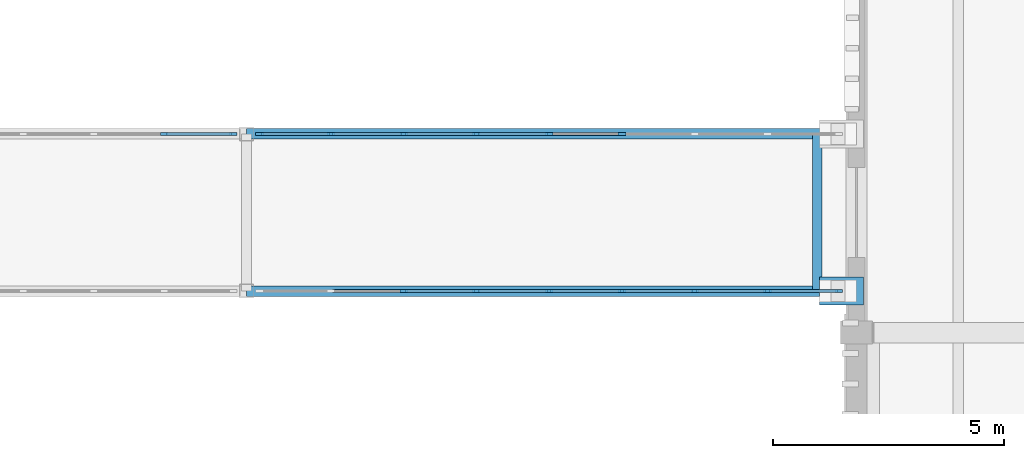
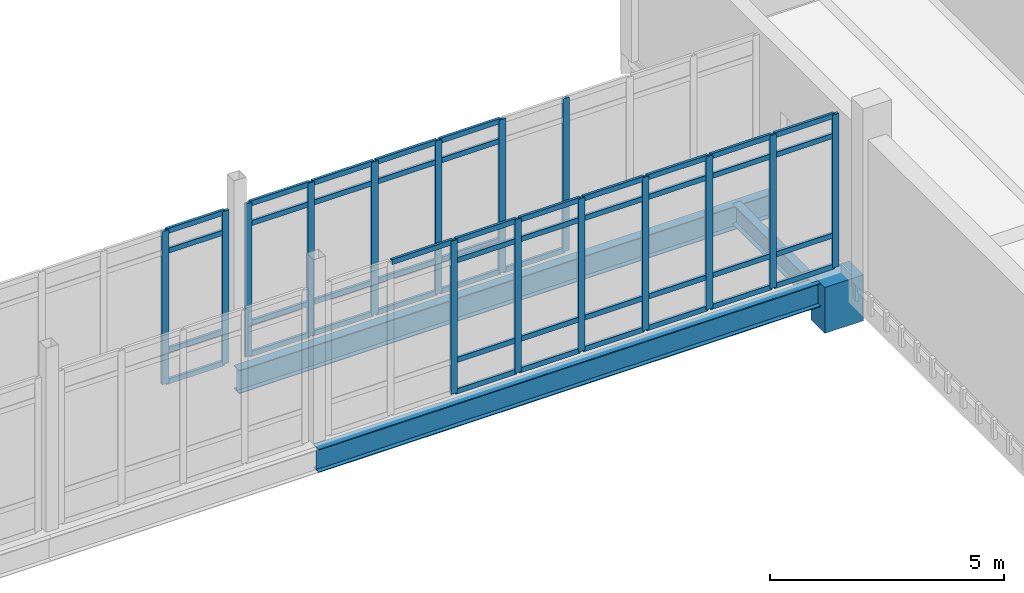
# One storey, part 44 of 125: 61 members, 4 beams, 3 elements without a shape of their own.
"""IFC4 building model written with IfcOpenShell, lengths in metres."""

from ifc_helpers import new_model, si_unit, direction, frame, origin, origin_2d, place, context, subcontext, project, spatial, rectangle, i_section, extrude, material, material_profile, profile_set, type_object, element, aggregate, save


model = new_model("IFC4")

# Units and contexts
model_context = context("Model", 3, precision=1e-05, world=origin(), true_north=direction((0.0, 1.0)))
body_context = subcontext(model_context, "Body", "Model", "MODEL_VIEW")
ifc_project = project(units=[si_unit("LENGTHUNIT", "METRE"), si_unit("AREAUNIT", "SQUARE_METRE"), si_unit("VOLUMEUNIT", "CUBIC_METRE"), si_unit("PLANEANGLEUNIT", "RADIAN"), si_unit("MASSUNIT", "GRAM", prefix="KILO")], contexts=[model_context])

# Site, building, storey
site_placement = place(None, origin())
site = spatial("IfcSite", under=ifc_project, at=site_placement, CompositionType="ELEMENT")
building_placement = place(site_placement, origin())
building = spatial("IfcBuilding", under=site, at=building_placement, Name="Dornvale Research Institute", CompositionType="ELEMENT")
storey_placement = place(building_placement, frame((0.0, 0.0, 5.39990234375)))
storey = spatial("IfcBuildingStorey", under=building, at=storey_placement, Name="L01", CompositionType="ELEMENT", Elevation=5.39990234375)

# Beams
ifc_material_1 = material(Name="Steel ASTM A992 Grade 50", Category="steel")
ifc_material_profile_1 = material_profile(ifc_material_1, i_section(OverallWidth=0.2099609375, OverallDepth=0.535888671875, WebThickness=0.010986328125, FlangeThickness=0.017333984375, at=origin_2d()), Name="W21X68")
ifc_profile_set_1 = profile_set([ifc_material_profile_1], Name="Steel ASTM A992 Grade 50")
beam_type_1 = type_object("IfcBeamType", Name="Beam_Steel_W21X68", PredefinedType="BEAM", material=ifc_profile_set_1)
beam_1_placement = place(storey_placement, frame((117.949951171875, 113.10009765625, -0.48779296875), z_axis=(0.0, 1.0, 0.0), x_axis=(-1.0, 0.0, 0.0)))
element("IfcBeam", 1, at=beam_1_placement, inside=storey, type_object=beam_type_1, Name="L01 BR-5 east cross beam #2026", PredefinedType="BEAM", context=body_context, shape_type="SweptSolid", body=[
    extrude(i_section(OverallWidth=0.2099609375, OverallDepth=0.535888671875, WebThickness=0.010986328125, FlangeThickness=0.017333984375, at=origin_2d()), origin(), (0.0, 0.0, 1.0), 3.39990234375),
])
ifc_material_2 = material(Name="Steel ASTM A992 Grade 50", Category="steel")
ifc_material_profile_2 = material_profile(ifc_material_2, i_section(OverallWidth=0.22900390625, OverallDepth=0.612060546875, WebThickness=0.011962890625, FlangeThickness=0.01953125, at=origin_2d()), Name="W24X84")
ifc_profile_set_2 = profile_set([ifc_material_profile_2], Name="Steel ASTM A992 Grade 50")
beam_type_2 = type_object("IfcBeamType", Name="Beam_Steel_W24X84_Bridge", PredefinedType="BEAM", material=ifc_profile_set_2)
for number, where, z_axis, x_axis, name in (
    (2, (105.60009765625, 113.10009765625, -0.52587890625), (1.0, 0.0, 0.0), (0.0, 1.0, 0.0), "L01 BR-5 south girder #2026"),
    (3, (105.60009765625, 116.5, -0.52587890625), (1.0, 0.0, 0.0), (0.0, 1.0, 0.0), "L01 BR-5 north girder #2026"),
):
    element("IfcBeam", number, at=place(storey_placement, frame(where, z_axis=z_axis, x_axis=x_axis)), inside=storey, type_object=beam_type_2, Name=name, PredefinedType="BEAM", context=body_context, shape_type="SweptSolid", body=[
        extrude(i_section(OverallWidth=0.22900390625, OverallDepth=0.612060546875, WebThickness=0.011962890625, FlangeThickness=0.01953125, at=origin_2d()), origin(), (0.0, 0.0, 1.0), 13.199951171875),
    ])

# Curtain wall, members
ifc_material_3 = material(Name="Low-E Argon Double Insulating Glazing Unit", Category="glass")
curtain_wall_type_1 = type_object("IfcCurtainWallType", Name="UnitisedCurtainWall_V2_6100x4000", PredefinedType="USERDEFINED", material=ifc_material_3)
curtain_wall_1_placement = place(storey_placement, origin())
curtain_wall_1 = element("IfcCurtainWall", 4, at=curtain_wall_1_placement, inside=storey, type_object=curtain_wall_type_1, Name="L01 V2 unitised curtain wall CW-43 #219", ObjectType="UNITISED CURTAIN WALL", PredefinedType="USERDEFINED")
ifc_material_4 = material(Name="Anodized Aluminum AA 6063-T6 Thermally Broken Frame", Category="aluminium")
ifc_material_profile_3 = material_profile(ifc_material_4, rectangle(XDim=0.06494140625, YDim=0.1650390625, at=origin_2d()), Name="ALU MULLION 65x165")
ifc_profile_set_3 = profile_set([ifc_material_profile_3], Name="Anodized Aluminum AA 6063-T6 Thermally Broken Frame")
member_type_1 = type_object("IfcMemberType", Name="Mullion_Atrium_65x165", PredefinedType="MULLION", material=ifc_profile_set_3)
member_1_placement = place(storey_placement, frame((103.824951171875, 116.5, 0.0), z_axis=(0.0, 0.0, 1.0), x_axis=(0.0, 1.0, 0.0)))
member_1 = element("IfcMember", 5, at=member_1_placement, type_object=member_type_1, Name="CW-43 mullion 4", PredefinedType="MULLION", context=body_context, shape_type="SweptSolid", body=[
    extrude(rectangle(XDim=0.06494140625, YDim=0.1650390625, at=origin_2d()), origin(), (0.0, 0.0, 1.0), 4.0),
])
member_2_placement = place(storey_placement, frame((105.3173828125, 116.5, 0.0), z_axis=(0.0, 0.0, 1.0), x_axis=(0.0, 1.0, 0.0)))
member_2 = element("IfcMember", 6, at=member_2_placement, type_object=member_type_1, Name="CW-43 mullion 5", PredefinedType="MULLION", context=body_context, shape_type="SweptSolid", body=[
    extrude(rectangle(XDim=0.06494140625, YDim=0.1650390625, at=origin_2d()), origin(), (0.0, 0.0, 1.0), 4.0),
])

ifc_material_5 = material(Name="Low-E Argon Double Insulating Glazing Unit", Category="glass")
curtain_wall_type_2 = type_object("IfcCurtainWallType", Name="UnitisedCurtainWall_V2_12600x4000", PredefinedType="USERDEFINED", material=ifc_material_5)
curtain_wall_2_placement = place(storey_placement, origin())
curtain_wall_2 = element("IfcCurtainWall", 7, at=curtain_wall_2_placement, inside=storey, type_object=curtain_wall_type_2, Name="L01 V2 unitised curtain wall CW-41 #221", ObjectType="UNITISED CURTAIN WALL", PredefinedType="USERDEFINED")
member_3_placement = place(storey_placement, frame((105.882568359375, 116.5, 0.0), z_axis=(0.0, 0.0, 1.0), x_axis=(0.0, 1.0, 0.0)))
member_3 = element("IfcMember", 8, at=member_3_placement, type_object=member_type_1, Name="CW-41 mullion 1", PredefinedType="MULLION", context=body_context, shape_type="SweptSolid", body=[
    extrude(rectangle(XDim=0.06494140625, YDim=0.1650390625, at=origin_2d()), origin(), (0.0, 0.0, 1.0), 4.0),
])
member_4_placement = place(storey_placement, frame((107.425048828125, 116.5, 0.0), z_axis=(0.0, 0.0, 1.0), x_axis=(0.0, 1.0, 0.0)))
member_4 = element("IfcMember", 9, at=member_4_placement, type_object=member_type_1, Name="CW-41 mullion 2", PredefinedType="MULLION", context=body_context, shape_type="SweptSolid", body=[
    extrude(rectangle(XDim=0.06494140625, YDim=0.1650390625, at=origin_2d()), origin(), (0.0, 0.0, 1.0), 4.0),
])
member_5_placement = place(storey_placement, frame((109.0, 116.5, 0.0), z_axis=(0.0, 0.0, 1.0), x_axis=(0.0, 1.0, 0.0)))
member_5 = element("IfcMember", 10, at=member_5_placement, type_object=member_type_1, Name="CW-41 mullion 3", PredefinedType="MULLION", context=body_context, shape_type="SweptSolid", body=[
    extrude(rectangle(XDim=0.06494140625, YDim=0.1650390625, at=origin_2d()), origin(), (0.0, 0.0, 1.0), 4.0),
])
member_6_placement = place(storey_placement, frame((110.574951171875, 116.5, 0.0), z_axis=(0.0, 0.0, 1.0), x_axis=(0.0, 1.0, 0.0)))
member_6 = element("IfcMember", 11, at=member_6_placement, type_object=member_type_1, Name="CW-41 mullion 4", PredefinedType="MULLION", context=body_context, shape_type="SweptSolid", body=[
    extrude(rectangle(XDim=0.06494140625, YDim=0.1650390625, at=origin_2d()), origin(), (0.0, 0.0, 1.0), 4.0),
])
member_7_placement = place(storey_placement, frame((112.14990234375, 116.5, 0.0), z_axis=(0.0, 0.0, 1.0), x_axis=(0.0, 1.0, 0.0)))
member_7 = element("IfcMember", 12, at=member_7_placement, type_object=member_type_1, Name="CW-41 mullion 5", PredefinedType="MULLION", context=body_context, shape_type="SweptSolid", body=[
    extrude(rectangle(XDim=0.06494140625, YDim=0.1650390625, at=origin_2d()), origin(), (0.0, 0.0, 1.0), 4.0),
])
member_8_placement = place(storey_placement, frame((113.72509765625, 116.5, 0.0), z_axis=(0.0, 0.0, 1.0), x_axis=(0.0, 1.0, 0.0)))
member_8 = element("IfcMember", 13, at=member_8_placement, type_object=member_type_1, Name="CW-41 mullion 6", PredefinedType="MULLION", context=body_context, shape_type="SweptSolid", body=[
    extrude(rectangle(XDim=0.06494140625, YDim=0.1650390625, at=origin_2d()), origin(), (0.0, 0.0, 1.0), 4.0),
])

curtain_wall_3_placement = place(storey_placement, origin())
curtain_wall_3 = element("IfcCurtainWall", 14, at=curtain_wall_3_placement, inside=storey, type_object=curtain_wall_type_2, Name="L01 V2 unitised curtain wall CW-41 #222", ObjectType="UNITISED CURTAIN WALL", PredefinedType="USERDEFINED")
member_9_placement = place(storey_placement, frame((118.41748046875, 113.10009765625, 0.0), z_axis=(0.0, 0.0, 1.0), x_axis=(0.0, -1.0, 0.0)))
member_9 = element("IfcMember", 15, at=member_9_placement, type_object=member_type_1, Name="CW-41 mullion 1", PredefinedType="MULLION", context=body_context, shape_type="SweptSolid", body=[
    extrude(rectangle(XDim=0.06494140625, YDim=0.1650390625, at=origin_2d()), origin(), (0.0, 0.0, 1.0), 4.0),
])
member_10_placement = place(storey_placement, frame((116.875, 113.10009765625, 0.0), z_axis=(0.0, 0.0, 1.0), x_axis=(0.0, -1.0, 0.0)))
member_10 = element("IfcMember", 16, at=member_10_placement, type_object=member_type_1, Name="CW-41 mullion 2", PredefinedType="MULLION", context=body_context, shape_type="SweptSolid", body=[
    extrude(rectangle(XDim=0.06494140625, YDim=0.1650390625, at=origin_2d()), origin(), (0.0, 0.0, 1.0), 4.0),
])
member_11_placement = place(storey_placement, frame((115.300048828125, 113.10009765625, 0.0), z_axis=(0.0, 0.0, 1.0), x_axis=(0.0, -1.0, 0.0)))
member_11 = element("IfcMember", 17, at=member_11_placement, type_object=member_type_1, Name="CW-41 mullion 3", PredefinedType="MULLION", context=body_context, shape_type="SweptSolid", body=[
    extrude(rectangle(XDim=0.06494140625, YDim=0.1650390625, at=origin_2d()), origin(), (0.0, 0.0, 1.0), 4.0),
])
member_12_placement = place(storey_placement, frame((113.72509765625, 113.10009765625, 0.0), z_axis=(0.0, 0.0, 1.0), x_axis=(0.0, -1.0, 0.0)))
member_12 = element("IfcMember", 18, at=member_12_placement, type_object=member_type_1, Name="CW-41 mullion 4", PredefinedType="MULLION", context=body_context, shape_type="SweptSolid", body=[
    extrude(rectangle(XDim=0.06494140625, YDim=0.1650390625, at=origin_2d()), origin(), (0.0, 0.0, 1.0), 4.0),
])
member_13_placement = place(storey_placement, frame((112.14990234375, 113.10009765625, 0.0), z_axis=(0.0, 0.0, 1.0), x_axis=(0.0, -1.0, 0.0)))
member_13 = element("IfcMember", 19, at=member_13_placement, type_object=member_type_1, Name="CW-41 mullion 5", PredefinedType="MULLION", context=body_context, shape_type="SweptSolid", body=[
    extrude(rectangle(XDim=0.06494140625, YDim=0.1650390625, at=origin_2d()), origin(), (0.0, 0.0, 1.0), 4.0),
])
member_14_placement = place(storey_placement, frame((110.574951171875, 113.10009765625, 0.0), z_axis=(0.0, 0.0, 1.0), x_axis=(0.0, -1.0, 0.0)))
member_14 = element("IfcMember", 20, at=member_14_placement, type_object=member_type_1, Name="CW-41 mullion 6", PredefinedType="MULLION", context=body_context, shape_type="SweptSolid", body=[
    extrude(rectangle(XDim=0.06494140625, YDim=0.1650390625, at=origin_2d()), origin(), (0.0, 0.0, 1.0), 4.0),
])
member_15_placement = place(storey_placement, frame((109.0, 113.10009765625, 0.0), z_axis=(0.0, 0.0, 1.0), x_axis=(0.0, -1.0, 0.0)))
member_15 = element("IfcMember", 21, at=member_15_placement, type_object=member_type_1, Name="CW-41 mullion 7", PredefinedType="MULLION", context=body_context, shape_type="SweptSolid", body=[
    extrude(rectangle(XDim=0.06494140625, YDim=0.1650390625, at=origin_2d()), origin(), (0.0, 0.0, 1.0), 4.0),
])

# Beam
ifc_material_6 = material(Name="Concrete f'c 50 MPa (C40/50)", Category="concrete")
ifc_material_profile_4 = material_profile(ifc_material_6, rectangle(XDim=0.60009765625, YDim=1.199951171875, at=origin_2d()), Name="RC 600x1200")
ifc_profile_set_4 = profile_set([ifc_material_profile_4], Name="Concrete f'c 50 MPa (C40/50)")
beam_type_3 = type_object("IfcBeamType", Name="TBeam_RC600x1200_Tie", PredefinedType="T_BEAM", material=ifc_profile_set_4)
beam_2_placement = place(storey_placement, frame((118.0, 113.10009765625, -0.81982421875), z_axis=(1.0, 0.0, 0.0), x_axis=(0.0, 1.0, 0.0)))
element("IfcBeam", 22, at=beam_2_placement, inside=storey, type_object=beam_type_3, Name="L01 BR-5 800mm sliding corbel seat #2026", PredefinedType="T_BEAM", context=body_context, shape_type="SweptSolid", body=[
    extrude(rectangle(XDim=0.60009765625, YDim=1.199951171875, at=origin_2d()), origin(), (0.0, 0.0, 1.0), 0.949951171875),
])

# Member
ifc_material_7 = material(Name="Anodized Aluminum AA 6063-T6 Thermally Broken Frame", Category="aluminium")
ifc_material_profile_5 = material_profile(ifc_material_7, rectangle(XDim=0.06494140625, YDim=0.135009765625, at=origin_2d()), Name="ALU TRANSOM 65x135")
ifc_profile_set_5 = profile_set([ifc_material_profile_5], Name="Anodized Aluminum AA 6063-T6 Thermally Broken Frame")
member_type_2 = type_object("IfcMemberType", Name="Transom_CW_65x135", PredefinedType="USERDEFINED", material=ifc_profile_set_5)
member_16_placement = place(storey_placement, frame((103.857421875, 116.5, 0.03271484375), z_axis=(1.0, 0.0, 0.0), x_axis=(0.0, 1.0, 0.0)))
member_16 = element("IfcMember", 23, at=member_16_placement, type_object=member_type_2, Name="CW-43 transom 4.1", ObjectType="TRANSOM", PredefinedType="USERDEFINED", context=body_context, shape_type="SweptSolid", body=[
    extrude(rectangle(XDim=0.06494140625, YDim=0.135009765625, at=origin_2d()), origin(), (0.0, 0.0, 1.0), 1.427490234375),
])

member_17_placement = place(storey_placement, frame((103.857421875, 116.5, 0.85009765625), z_axis=(1.0, 0.0, 0.0), x_axis=(0.0, 1.0, 0.0)))
member_17 = element("IfcMember", 24, at=member_17_placement, type_object=member_type_2, Name="CW-43 transom 4.2", ObjectType="TRANSOM", PredefinedType="USERDEFINED", context=body_context, shape_type="SweptSolid", body=[
    extrude(rectangle(XDim=0.06494140625, YDim=0.135009765625, at=origin_2d()), origin(), (0.0, 0.0, 1.0), 1.427490234375),
])

member_18_placement = place(storey_placement, frame((103.857421875, 116.5, 3.4501953125), z_axis=(1.0, 0.0, 0.0), x_axis=(0.0, 1.0, 0.0)))
member_18 = element("IfcMember", 25, at=member_18_placement, type_object=member_type_2, Name="CW-43 transom 4.3", ObjectType="TRANSOM", PredefinedType="USERDEFINED", context=body_context, shape_type="SweptSolid", body=[
    extrude(rectangle(XDim=0.06494140625, YDim=0.135009765625, at=origin_2d()), origin(), (0.0, 0.0, 1.0), 1.427490234375),
])

member_19_placement = place(storey_placement, frame((103.857421875, 116.5, 3.967529296875), z_axis=(1.0, 0.0, 0.0), x_axis=(0.0, 1.0, 0.0)))
member_19 = element("IfcMember", 26, at=member_19_placement, type_object=member_type_2, Name="CW-43 transom 4.4", ObjectType="TRANSOM", PredefinedType="USERDEFINED", context=body_context, shape_type="SweptSolid", body=[
    extrude(rectangle(XDim=0.06494140625, YDim=0.135009765625, at=origin_2d()), origin(), (0.0, 0.0, 1.0), 1.427490234375),
])

aggregate(curtain_wall_1, [member_1, member_2, member_16, member_17, member_18, member_19])

member_20_placement = place(storey_placement, frame((105.9150390625, 116.5, 0.03271484375), z_axis=(1.0, 0.0, 0.0), x_axis=(0.0, 1.0, 0.0)))
member_20 = element("IfcMember", 27, at=member_20_placement, type_object=member_type_2, Name="CW-41 transom 1.1", ObjectType="TRANSOM", PredefinedType="USERDEFINED", context=body_context, shape_type="SweptSolid", body=[
    extrude(rectangle(XDim=0.06494140625, YDim=0.135009765625, at=origin_2d()), origin(), (0.0, 0.0, 1.0), 1.4775390625),
])

member_21_placement = place(storey_placement, frame((105.9150390625, 116.5, 0.85009765625), z_axis=(1.0, 0.0, 0.0), x_axis=(0.0, 1.0, 0.0)))
member_21 = element("IfcMember", 28, at=member_21_placement, type_object=member_type_2, Name="CW-41 transom 1.2", ObjectType="TRANSOM", PredefinedType="USERDEFINED", context=body_context, shape_type="SweptSolid", body=[
    extrude(rectangle(XDim=0.06494140625, YDim=0.135009765625, at=origin_2d()), origin(), (0.0, 0.0, 1.0), 1.4775390625),
])

member_22_placement = place(storey_placement, frame((105.9150390625, 116.5, 3.4501953125), z_axis=(1.0, 0.0, 0.0), x_axis=(0.0, 1.0, 0.0)))
member_22 = element("IfcMember", 29, at=member_22_placement, type_object=member_type_2, Name="CW-41 transom 1.3", ObjectType="TRANSOM", PredefinedType="USERDEFINED", context=body_context, shape_type="SweptSolid", body=[
    extrude(rectangle(XDim=0.06494140625, YDim=0.135009765625, at=origin_2d()), origin(), (0.0, 0.0, 1.0), 1.4775390625),
])

member_23_placement = place(storey_placement, frame((105.9150390625, 116.5, 3.967529296875), z_axis=(1.0, 0.0, 0.0), x_axis=(0.0, 1.0, 0.0)))
member_23 = element("IfcMember", 30, at=member_23_placement, type_object=member_type_2, Name="CW-41 transom 1.4", ObjectType="TRANSOM", PredefinedType="USERDEFINED", context=body_context, shape_type="SweptSolid", body=[
    extrude(rectangle(XDim=0.06494140625, YDim=0.135009765625, at=origin_2d()), origin(), (0.0, 0.0, 1.0), 1.4775390625),
])

member_24_placement = place(storey_placement, frame((107.45751953125, 116.5, 0.03271484375), z_axis=(1.0, 0.0, 0.0), x_axis=(0.0, 1.0, 0.0)))
member_24 = element("IfcMember", 31, at=member_24_placement, type_object=member_type_2, Name="CW-41 transom 2.1", ObjectType="TRANSOM", PredefinedType="USERDEFINED", context=body_context, shape_type="SweptSolid", body=[
    extrude(rectangle(XDim=0.06494140625, YDim=0.135009765625, at=origin_2d()), origin(), (0.0, 0.0, 1.0), 1.510009765625),
])

member_25_placement = place(storey_placement, frame((107.45751953125, 116.5, 0.85009765625), z_axis=(1.0, 0.0, 0.0), x_axis=(0.0, 1.0, 0.0)))
member_25 = element("IfcMember", 32, at=member_25_placement, type_object=member_type_2, Name="CW-41 transom 2.2", ObjectType="TRANSOM", PredefinedType="USERDEFINED", context=body_context, shape_type="SweptSolid", body=[
    extrude(rectangle(XDim=0.06494140625, YDim=0.135009765625, at=origin_2d()), origin(), (0.0, 0.0, 1.0), 1.510009765625),
])

member_26_placement = place(storey_placement, frame((107.45751953125, 116.5, 3.4501953125), z_axis=(1.0, 0.0, 0.0), x_axis=(0.0, 1.0, 0.0)))
member_26 = element("IfcMember", 33, at=member_26_placement, type_object=member_type_2, Name="CW-41 transom 2.3", ObjectType="TRANSOM", PredefinedType="USERDEFINED", context=body_context, shape_type="SweptSolid", body=[
    extrude(rectangle(XDim=0.06494140625, YDim=0.135009765625, at=origin_2d()), origin(), (0.0, 0.0, 1.0), 1.510009765625),
])

member_27_placement = place(storey_placement, frame((107.45751953125, 116.5, 3.967529296875), z_axis=(1.0, 0.0, 0.0), x_axis=(0.0, 1.0, 0.0)))
member_27 = element("IfcMember", 34, at=member_27_placement, type_object=member_type_2, Name="CW-41 transom 2.4", ObjectType="TRANSOM", PredefinedType="USERDEFINED", context=body_context, shape_type="SweptSolid", body=[
    extrude(rectangle(XDim=0.06494140625, YDim=0.135009765625, at=origin_2d()), origin(), (0.0, 0.0, 1.0), 1.510009765625),
])

member_28_placement = place(storey_placement, frame((109.032470703125, 116.5, 0.03271484375), z_axis=(1.0, 0.0, 0.0), x_axis=(0.0, 1.0, 0.0)))
member_28 = element("IfcMember", 35, at=member_28_placement, type_object=member_type_2, Name="CW-41 transom 3.1", ObjectType="TRANSOM", PredefinedType="USERDEFINED", context=body_context, shape_type="SweptSolid", body=[
    extrude(rectangle(XDim=0.06494140625, YDim=0.135009765625, at=origin_2d()), origin(), (0.0, 0.0, 1.0), 1.510009765625),
])

member_29_placement = place(storey_placement, frame((109.032470703125, 116.5, 0.85009765625), z_axis=(1.0, 0.0, 0.0), x_axis=(0.0, 1.0, 0.0)))
member_29 = element("IfcMember", 36, at=member_29_placement, type_object=member_type_2, Name="CW-41 transom 3.2", ObjectType="TRANSOM", PredefinedType="USERDEFINED", context=body_context, shape_type="SweptSolid", body=[
    extrude(rectangle(XDim=0.06494140625, YDim=0.135009765625, at=origin_2d()), origin(), (0.0, 0.0, 1.0), 1.510009765625),
])

member_30_placement = place(storey_placement, frame((109.032470703125, 116.5, 3.4501953125), z_axis=(1.0, 0.0, 0.0), x_axis=(0.0, 1.0, 0.0)))
member_30 = element("IfcMember", 37, at=member_30_placement, type_object=member_type_2, Name="CW-41 transom 3.3", ObjectType="TRANSOM", PredefinedType="USERDEFINED", context=body_context, shape_type="SweptSolid", body=[
    extrude(rectangle(XDim=0.06494140625, YDim=0.135009765625, at=origin_2d()), origin(), (0.0, 0.0, 1.0), 1.510009765625),
])

member_31_placement = place(storey_placement, frame((109.032470703125, 116.5, 3.967529296875), z_axis=(1.0, 0.0, 0.0), x_axis=(0.0, 1.0, 0.0)))
member_31 = element("IfcMember", 38, at=member_31_placement, type_object=member_type_2, Name="CW-41 transom 3.4", ObjectType="TRANSOM", PredefinedType="USERDEFINED", context=body_context, shape_type="SweptSolid", body=[
    extrude(rectangle(XDim=0.06494140625, YDim=0.135009765625, at=origin_2d()), origin(), (0.0, 0.0, 1.0), 1.510009765625),
])

member_32_placement = place(storey_placement, frame((110.607421875, 116.5, 0.03271484375), z_axis=(1.0, 0.0, 0.0), x_axis=(0.0, 1.0, 0.0)))
member_32 = element("IfcMember", 39, at=member_32_placement, type_object=member_type_2, Name="CW-41 transom 4.1", ObjectType="TRANSOM", PredefinedType="USERDEFINED", context=body_context, shape_type="SweptSolid", body=[
    extrude(rectangle(XDim=0.06494140625, YDim=0.135009765625, at=origin_2d()), origin(), (0.0, 0.0, 1.0), 1.510009765625),
])

member_33_placement = place(storey_placement, frame((110.607421875, 116.5, 0.85009765625), z_axis=(1.0, 0.0, 0.0), x_axis=(0.0, 1.0, 0.0)))
member_33 = element("IfcMember", 40, at=member_33_placement, type_object=member_type_2, Name="CW-41 transom 4.2", ObjectType="TRANSOM", PredefinedType="USERDEFINED", context=body_context, shape_type="SweptSolid", body=[
    extrude(rectangle(XDim=0.06494140625, YDim=0.135009765625, at=origin_2d()), origin(), (0.0, 0.0, 1.0), 1.510009765625),
])

member_34_placement = place(storey_placement, frame((110.607421875, 116.5, 3.4501953125), z_axis=(1.0, 0.0, 0.0), x_axis=(0.0, 1.0, 0.0)))
member_34 = element("IfcMember", 41, at=member_34_placement, type_object=member_type_2, Name="CW-41 transom 4.3", ObjectType="TRANSOM", PredefinedType="USERDEFINED", context=body_context, shape_type="SweptSolid", body=[
    extrude(rectangle(XDim=0.06494140625, YDim=0.135009765625, at=origin_2d()), origin(), (0.0, 0.0, 1.0), 1.510009765625),
])

member_35_placement = place(storey_placement, frame((110.607421875, 116.5, 3.967529296875), z_axis=(1.0, 0.0, 0.0), x_axis=(0.0, 1.0, 0.0)))
member_35 = element("IfcMember", 42, at=member_35_placement, type_object=member_type_2, Name="CW-41 transom 4.4", ObjectType="TRANSOM", PredefinedType="USERDEFINED", context=body_context, shape_type="SweptSolid", body=[
    extrude(rectangle(XDim=0.06494140625, YDim=0.135009765625, at=origin_2d()), origin(), (0.0, 0.0, 1.0), 1.510009765625),
])

member_36_placement = place(storey_placement, frame((112.1826171875, 116.5, 0.03271484375), z_axis=(1.0, 0.0, 0.0), x_axis=(0.0, 1.0, 0.0)))
member_36 = element("IfcMember", 43, at=member_36_placement, type_object=member_type_2, Name="CW-41 transom 5.1", ObjectType="TRANSOM", PredefinedType="USERDEFINED", context=body_context, shape_type="SweptSolid", body=[
    extrude(rectangle(XDim=0.06494140625, YDim=0.135009765625, at=origin_2d()), origin(), (0.0, 0.0, 1.0), 1.509765625),
])

aggregate(curtain_wall_2, [member_3, member_4, member_5, member_6, member_7, member_8, member_20, member_21, member_22, member_23, member_24, member_25, member_26, member_27, member_28, member_29, member_30, member_31, member_32, member_33, member_34, member_35, member_36])

member_37_placement = place(storey_placement, frame((118.385009765625, 113.10009765625, 0.03271484375), z_axis=(-1.0, 0.0, 0.0), x_axis=(0.0, -1.0, 0.0)))
member_37 = element("IfcMember", 44, at=member_37_placement, type_object=member_type_2, Name="CW-41 transom 1.1", ObjectType="TRANSOM", PredefinedType="USERDEFINED", context=body_context, shape_type="SweptSolid", body=[
    extrude(rectangle(XDim=0.06494140625, YDim=0.135009765625, at=origin_2d()), origin(), (0.0, 0.0, 1.0), 1.4775390625),
])

member_38_placement = place(storey_placement, frame((118.385009765625, 113.10009765625, 0.85009765625), z_axis=(-1.0, 0.0, 0.0), x_axis=(0.0, -1.0, 0.0)))
member_38 = element("IfcMember", 45, at=member_38_placement, type_object=member_type_2, Name="CW-41 transom 1.2", ObjectType="TRANSOM", PredefinedType="USERDEFINED", context=body_context, shape_type="SweptSolid", body=[
    extrude(rectangle(XDim=0.06494140625, YDim=0.135009765625, at=origin_2d()), origin(), (0.0, 0.0, 1.0), 1.4775390625),
])

member_39_placement = place(storey_placement, frame((118.385009765625, 113.10009765625, 3.4501953125), z_axis=(-1.0, 0.0, 0.0), x_axis=(0.0, -1.0, 0.0)))
member_39 = element("IfcMember", 46, at=member_39_placement, type_object=member_type_2, Name="CW-41 transom 1.3", ObjectType="TRANSOM", PredefinedType="USERDEFINED", context=body_context, shape_type="SweptSolid", body=[
    extrude(rectangle(XDim=0.06494140625, YDim=0.135009765625, at=origin_2d()), origin(), (0.0, 0.0, 1.0), 1.4775390625),
])

member_40_placement = place(storey_placement, frame((118.385009765625, 113.10009765625, 3.967529296875), z_axis=(-1.0, 0.0, 0.0), x_axis=(0.0, -1.0, 0.0)))
member_40 = element("IfcMember", 47, at=member_40_placement, type_object=member_type_2, Name="CW-41 transom 1.4", ObjectType="TRANSOM", PredefinedType="USERDEFINED", context=body_context, shape_type="SweptSolid", body=[
    extrude(rectangle(XDim=0.06494140625, YDim=0.135009765625, at=origin_2d()), origin(), (0.0, 0.0, 1.0), 1.4775390625),
])

member_41_placement = place(storey_placement, frame((116.842529296875, 113.10009765625, 0.03271484375), z_axis=(-1.0, 0.0, 0.0), x_axis=(0.0, -1.0, 0.0)))
member_41 = element("IfcMember", 48, at=member_41_placement, type_object=member_type_2, Name="CW-41 transom 2.1", ObjectType="TRANSOM", PredefinedType="USERDEFINED", context=body_context, shape_type="SweptSolid", body=[
    extrude(rectangle(XDim=0.06494140625, YDim=0.135009765625, at=origin_2d()), origin(), (0.0, 0.0, 1.0), 1.510009765625),
])

member_42_placement = place(storey_placement, frame((116.842529296875, 113.10009765625, 0.85009765625), z_axis=(-1.0, 0.0, 0.0), x_axis=(0.0, -1.0, 0.0)))
member_42 = element("IfcMember", 49, at=member_42_placement, type_object=member_type_2, Name="CW-41 transom 2.2", ObjectType="TRANSOM", PredefinedType="USERDEFINED", context=body_context, shape_type="SweptSolid", body=[
    extrude(rectangle(XDim=0.06494140625, YDim=0.135009765625, at=origin_2d()), origin(), (0.0, 0.0, 1.0), 1.510009765625),
])

member_43_placement = place(storey_placement, frame((116.842529296875, 113.10009765625, 3.4501953125), z_axis=(-1.0, 0.0, 0.0), x_axis=(0.0, -1.0, 0.0)))
member_43 = element("IfcMember", 50, at=member_43_placement, type_object=member_type_2, Name="CW-41 transom 2.3", ObjectType="TRANSOM", PredefinedType="USERDEFINED", context=body_context, shape_type="SweptSolid", body=[
    extrude(rectangle(XDim=0.06494140625, YDim=0.135009765625, at=origin_2d()), origin(), (0.0, 0.0, 1.0), 1.510009765625),
])

member_44_placement = place(storey_placement, frame((116.842529296875, 113.10009765625, 3.967529296875), z_axis=(-1.0, 0.0, 0.0), x_axis=(0.0, -1.0, 0.0)))
member_44 = element("IfcMember", 51, at=member_44_placement, type_object=member_type_2, Name="CW-41 transom 2.4", ObjectType="TRANSOM", PredefinedType="USERDEFINED", context=body_context, shape_type="SweptSolid", body=[
    extrude(rectangle(XDim=0.06494140625, YDim=0.135009765625, at=origin_2d()), origin(), (0.0, 0.0, 1.0), 1.510009765625),
])

member_45_placement = place(storey_placement, frame((115.267578125, 113.10009765625, 0.03271484375), z_axis=(-1.0, 0.0, 0.0), x_axis=(0.0, -1.0, 0.0)))
member_45 = element("IfcMember", 52, at=member_45_placement, type_object=member_type_2, Name="CW-41 transom 3.1", ObjectType="TRANSOM", PredefinedType="USERDEFINED", context=body_context, shape_type="SweptSolid", body=[
    extrude(rectangle(XDim=0.06494140625, YDim=0.135009765625, at=origin_2d()), origin(), (0.0, 0.0, 1.0), 1.510009765625),
])

member_46_placement = place(storey_placement, frame((115.267578125, 113.10009765625, 0.85009765625), z_axis=(-1.0, 0.0, 0.0), x_axis=(0.0, -1.0, 0.0)))
member_46 = element("IfcMember", 53, at=member_46_placement, type_object=member_type_2, Name="CW-41 transom 3.2", ObjectType="TRANSOM", PredefinedType="USERDEFINED", context=body_context, shape_type="SweptSolid", body=[
    extrude(rectangle(XDim=0.06494140625, YDim=0.135009765625, at=origin_2d()), origin(), (0.0, 0.0, 1.0), 1.510009765625),
])

member_47_placement = place(storey_placement, frame((115.267578125, 113.10009765625, 3.4501953125), z_axis=(-1.0, 0.0, 0.0), x_axis=(0.0, -1.0, 0.0)))
member_47 = element("IfcMember", 54, at=member_47_placement, type_object=member_type_2, Name="CW-41 transom 3.3", ObjectType="TRANSOM", PredefinedType="USERDEFINED", context=body_context, shape_type="SweptSolid", body=[
    extrude(rectangle(XDim=0.06494140625, YDim=0.135009765625, at=origin_2d()), origin(), (0.0, 0.0, 1.0), 1.510009765625),
])

member_48_placement = place(storey_placement, frame((115.267578125, 113.10009765625, 3.967529296875), z_axis=(-1.0, 0.0, 0.0), x_axis=(0.0, -1.0, 0.0)))
member_48 = element("IfcMember", 55, at=member_48_placement, type_object=member_type_2, Name="CW-41 transom 3.4", ObjectType="TRANSOM", PredefinedType="USERDEFINED", context=body_context, shape_type="SweptSolid", body=[
    extrude(rectangle(XDim=0.06494140625, YDim=0.135009765625, at=origin_2d()), origin(), (0.0, 0.0, 1.0), 1.510009765625),
])

member_49_placement = place(storey_placement, frame((113.6923828125, 113.10009765625, 0.03271484375), z_axis=(-1.0, 0.0, 0.0), x_axis=(0.0, -1.0, 0.0)))
member_49 = element("IfcMember", 56, at=member_49_placement, type_object=member_type_2, Name="CW-41 transom 4.1", ObjectType="TRANSOM", PredefinedType="USERDEFINED", context=body_context, shape_type="SweptSolid", body=[
    extrude(rectangle(XDim=0.06494140625, YDim=0.135009765625, at=origin_2d()), origin(), (0.0, 0.0, 1.0), 1.509765625),
])

member_50_placement = place(storey_placement, frame((113.6923828125, 113.10009765625, 0.85009765625), z_axis=(-1.0, 0.0, 0.0), x_axis=(0.0, -1.0, 0.0)))
member_50 = element("IfcMember", 57, at=member_50_placement, type_object=member_type_2, Name="CW-41 transom 4.2", ObjectType="TRANSOM", PredefinedType="USERDEFINED", context=body_context, shape_type="SweptSolid", body=[
    extrude(rectangle(XDim=0.06494140625, YDim=0.135009765625, at=origin_2d()), origin(), (0.0, 0.0, 1.0), 1.509765625),
])

member_51_placement = place(storey_placement, frame((113.6923828125, 113.10009765625, 3.4501953125), z_axis=(-1.0, 0.0, 0.0), x_axis=(0.0, -1.0, 0.0)))
member_51 = element("IfcMember", 58, at=member_51_placement, type_object=member_type_2, Name="CW-41 transom 4.3", ObjectType="TRANSOM", PredefinedType="USERDEFINED", context=body_context, shape_type="SweptSolid", body=[
    extrude(rectangle(XDim=0.06494140625, YDim=0.135009765625, at=origin_2d()), origin(), (0.0, 0.0, 1.0), 1.509765625),
])

member_52_placement = place(storey_placement, frame((113.6923828125, 113.10009765625, 3.967529296875), z_axis=(-1.0, 0.0, 0.0), x_axis=(0.0, -1.0, 0.0)))
member_52 = element("IfcMember", 59, at=member_52_placement, type_object=member_type_2, Name="CW-41 transom 4.4", ObjectType="TRANSOM", PredefinedType="USERDEFINED", context=body_context, shape_type="SweptSolid", body=[
    extrude(rectangle(XDim=0.06494140625, YDim=0.135009765625, at=origin_2d()), origin(), (0.0, 0.0, 1.0), 1.509765625),
])

member_53_placement = place(storey_placement, frame((112.117431640625, 113.10009765625, 0.03271484375), z_axis=(-1.0, 0.0, 0.0), x_axis=(0.0, -1.0, 0.0)))
member_53 = element("IfcMember", 60, at=member_53_placement, type_object=member_type_2, Name="CW-41 transom 5.1", ObjectType="TRANSOM", PredefinedType="USERDEFINED", context=body_context, shape_type="SweptSolid", body=[
    extrude(rectangle(XDim=0.06494140625, YDim=0.135009765625, at=origin_2d()), origin(), (0.0, 0.0, 1.0), 1.510009765625),
])

member_54_placement = place(storey_placement, frame((112.117431640625, 113.10009765625, 0.85009765625), z_axis=(-1.0, 0.0, 0.0), x_axis=(0.0, -1.0, 0.0)))
member_54 = element("IfcMember", 61, at=member_54_placement, type_object=member_type_2, Name="CW-41 transom 5.2", ObjectType="TRANSOM", PredefinedType="USERDEFINED", context=body_context, shape_type="SweptSolid", body=[
    extrude(rectangle(XDim=0.06494140625, YDim=0.135009765625, at=origin_2d()), origin(), (0.0, 0.0, 1.0), 1.510009765625),
])

member_55_placement = place(storey_placement, frame((112.117431640625, 113.10009765625, 3.4501953125), z_axis=(-1.0, 0.0, 0.0), x_axis=(0.0, -1.0, 0.0)))
member_55 = element("IfcMember", 62, at=member_55_placement, type_object=member_type_2, Name="CW-41 transom 5.3", ObjectType="TRANSOM", PredefinedType="USERDEFINED", context=body_context, shape_type="SweptSolid", body=[
    extrude(rectangle(XDim=0.06494140625, YDim=0.135009765625, at=origin_2d()), origin(), (0.0, 0.0, 1.0), 1.510009765625),
])

member_56_placement = place(storey_placement, frame((112.117431640625, 113.10009765625, 3.967529296875), z_axis=(-1.0, 0.0, 0.0), x_axis=(0.0, -1.0, 0.0)))
member_56 = element("IfcMember", 63, at=member_56_placement, type_object=member_type_2, Name="CW-41 transom 5.4", ObjectType="TRANSOM", PredefinedType="USERDEFINED", context=body_context, shape_type="SweptSolid", body=[
    extrude(rectangle(XDim=0.06494140625, YDim=0.135009765625, at=origin_2d()), origin(), (0.0, 0.0, 1.0), 1.510009765625),
])

member_57_placement = place(storey_placement, frame((110.54248046875, 113.10009765625, 0.03271484375), z_axis=(-1.0, 0.0, 0.0), x_axis=(0.0, -1.0, 0.0)))
member_57 = element("IfcMember", 64, at=member_57_placement, type_object=member_type_2, Name="CW-41 transom 6.1", ObjectType="TRANSOM", PredefinedType="USERDEFINED", context=body_context, shape_type="SweptSolid", body=[
    extrude(rectangle(XDim=0.06494140625, YDim=0.135009765625, at=origin_2d()), origin(), (0.0, 0.0, 1.0), 1.510009765625),
])

member_58_placement = place(storey_placement, frame((110.54248046875, 113.10009765625, 0.85009765625), z_axis=(-1.0, 0.0, 0.0), x_axis=(0.0, -1.0, 0.0)))
member_58 = element("IfcMember", 65, at=member_58_placement, type_object=member_type_2, Name="CW-41 transom 6.2", ObjectType="TRANSOM", PredefinedType="USERDEFINED", context=body_context, shape_type="SweptSolid", body=[
    extrude(rectangle(XDim=0.06494140625, YDim=0.135009765625, at=origin_2d()), origin(), (0.0, 0.0, 1.0), 1.510009765625),
])

member_59_placement = place(storey_placement, frame((110.54248046875, 113.10009765625, 3.4501953125), z_axis=(-1.0, 0.0, 0.0), x_axis=(0.0, -1.0, 0.0)))
member_59 = element("IfcMember", 66, at=member_59_placement, type_object=member_type_2, Name="CW-41 transom 6.3", ObjectType="TRANSOM", PredefinedType="USERDEFINED", context=body_context, shape_type="SweptSolid", body=[
    extrude(rectangle(XDim=0.06494140625, YDim=0.135009765625, at=origin_2d()), origin(), (0.0, 0.0, 1.0), 1.510009765625),
])

member_60_placement = place(storey_placement, frame((110.54248046875, 113.10009765625, 3.967529296875), z_axis=(-1.0, 0.0, 0.0), x_axis=(0.0, -1.0, 0.0)))
member_60 = element("IfcMember", 67, at=member_60_placement, type_object=member_type_2, Name="CW-41 transom 6.4", ObjectType="TRANSOM", PredefinedType="USERDEFINED", context=body_context, shape_type="SweptSolid", body=[
    extrude(rectangle(XDim=0.06494140625, YDim=0.135009765625, at=origin_2d()), origin(), (0.0, 0.0, 1.0), 1.510009765625),
])

member_61_placement = place(storey_placement, frame((108.967529296875, 113.10009765625, 3.967529296875), z_axis=(-1.0, 0.0, 0.0), x_axis=(0.0, -1.0, 0.0)))
member_61 = element("IfcMember", 68, at=member_61_placement, type_object=member_type_2, Name="CW-41 transom 7.4", ObjectType="TRANSOM", PredefinedType="USERDEFINED", context=body_context, shape_type="SweptSolid", body=[
    extrude(rectangle(XDim=0.06494140625, YDim=0.135009765625, at=origin_2d()), origin(), (0.0, 0.0, 1.0), 1.510009765625),
])

aggregate(curtain_wall_3, [member_9, member_10, member_11, member_12, member_13, member_14, member_15, member_37, member_38, member_39, member_40, member_41, member_42, member_43, member_44, member_45, member_46, member_47, member_48, member_49, member_50, member_51, member_52, member_53, member_54, member_55, member_56, member_57, member_58, member_59, member_60, member_61])

save(model, "model.ifc")
